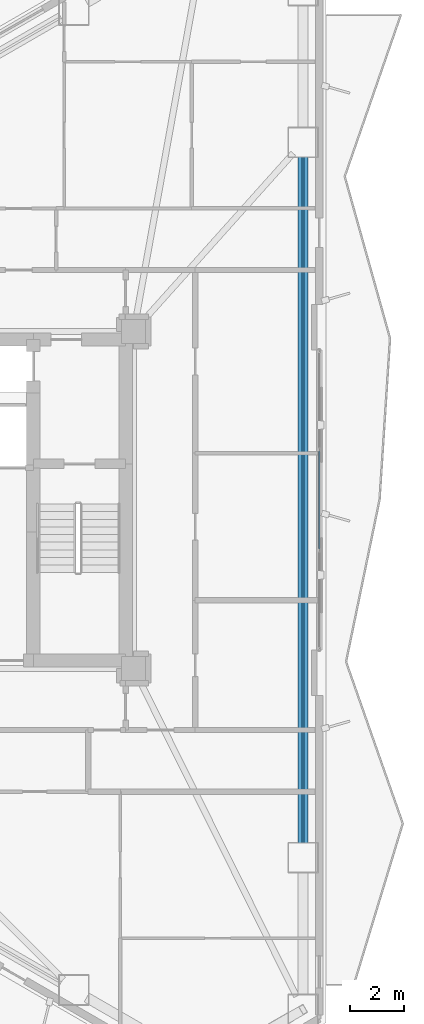
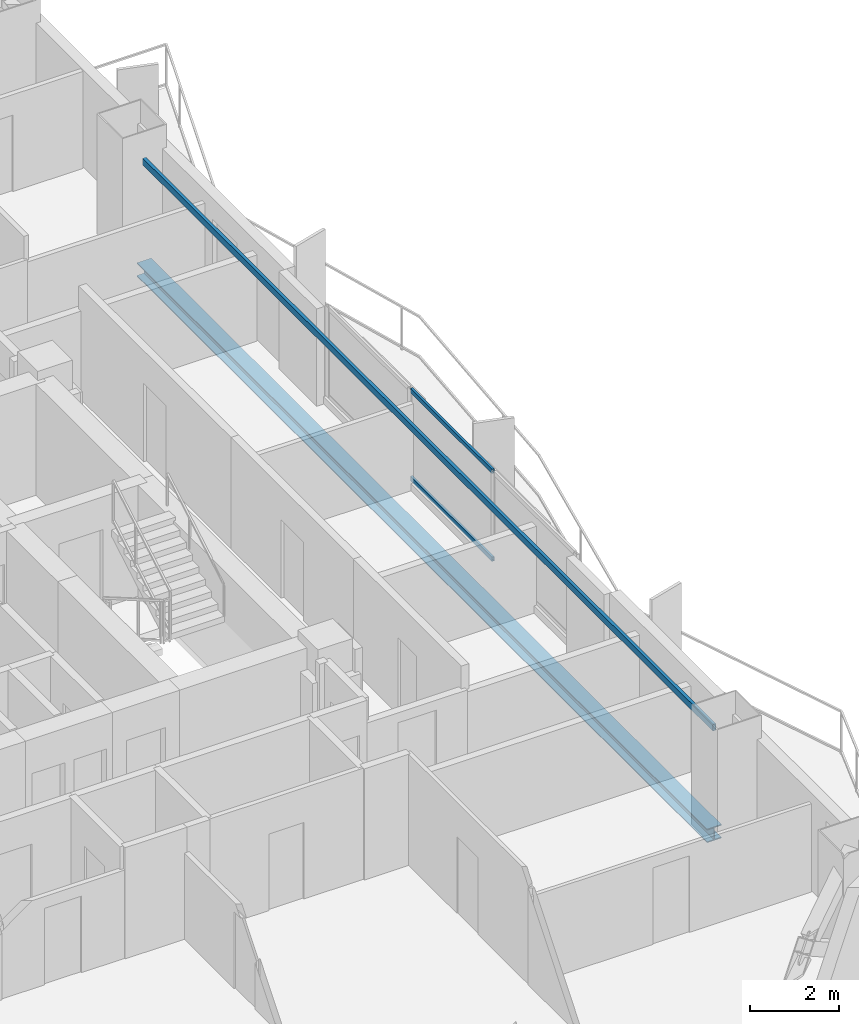
# One storey, part 9 of 22: 2 beams, 2 members, 1 element without a shape of its own.
"""IFC4 building model written with IfcOpenShell, lengths in metres."""

from ifc_helpers import new_model, si_unit, direction, frame, origin, origin_2d, place, context, subcontext, project, spatial, hollow_rectangle, i_section, extrude, material, layer, layer_set, material_profile, profile_set, type_object, element, aggregate, save


model = new_model("IFC4")

# Units and contexts
model_context = context("Model", 3, precision=1e-05, world=origin(), true_north=direction((0.0, 1.0)))
body_context = subcontext(model_context, "Body", "Model", "MODEL_VIEW")
ifc_project = project(units=[si_unit("LENGTHUNIT", "METRE"), si_unit("AREAUNIT", "SQUARE_METRE"), si_unit("VOLUMEUNIT", "CUBIC_METRE"), si_unit("PLANEANGLEUNIT", "RADIAN"), si_unit("MASSUNIT", "GRAM", prefix="KILO")], contexts=[model_context])

# Site, building, storey
site_placement = place(None, origin())
site = spatial("IfcSite", under=ifc_project, at=site_placement, CompositionType="ELEMENT")
building_placement = place(site_placement, origin())
building = spatial("IfcBuilding", under=site, at=building_placement, Name="Mersakhor Tower and Convention Hall", CompositionType="ELEMENT")
storey_placement = place(building_placement, frame((0.0, 0.0, 90.0)))
storey = spatial("IfcBuildingStorey", under=building, at=storey_placement, Name="L24", CompositionType="ELEMENT", Elevation=90.0)

# Beams
ifc_material_1 = material(Name="Steel S355", Category="steel")
ifc_material_profile_1 = material_profile(ifc_material_1, hollow_rectangle(XDim=0.080078125, YDim=0.179931640625, WallThickness=0.008056640625, at=origin_2d()), Name="RHS 180x80x8")
ifc_profile_set_1 = profile_set([ifc_material_profile_1], Name="Steel S355")
beam_type_1 = type_object("IfcBeamType", Name="BM-GRT-RHS180", PredefinedType="USERDEFINED", material=ifc_profile_set_1)
beam_1_placement = place(storey_placement, frame((42.4345703125, 39.566650390625, 2.47998046875), z_axis=(0.0, -1.0, 0.0), x_axis=(1.0, 0.0, 0.0)))
element("IfcBeam", 1, at=beam_1_placement, inside=storey, type_object=beam_type_1, Name="L24 Facade Support Girt GRT-F2", ObjectType="GIRT", PredefinedType="USERDEFINED", context=body_context, shape_type="SweptSolid", body=[
    extrude(hollow_rectangle(XDim=0.080078125, YDim=0.179931640625, WallThickness=0.008056640625, at=origin_2d()), origin(), (0.0, 0.0, 1.0), 25.63330078125),
])
ifc_material_2 = material(Name="Steel S355", Category="steel")
ifc_material_profile_2 = material_profile(ifc_material_2, i_section(OverallWidth=0.374755859375, OverallDepth=0.37451171875, WebThickness=0.0166015625, FlangeThickness=0.027099609375, at=origin_2d()), Name="UC 356x368x202")
ifc_profile_set_2 = profile_set([ifc_material_profile_2], Name="Steel S355")
beam_type_2 = type_object("IfcBeamType", Name="BM-SPD-UC356", PredefinedType="SPANDREL", material=ifc_profile_set_2)
beam_2_placement = place(storey_placement, frame((42.4345703125, 39.566650390625, -0.437255859375), z_axis=(0.0, -1.0, 0.0), x_axis=(1.0, 0.0, 0.0)))
element("IfcBeam", 2, at=beam_2_placement, inside=storey, type_object=beam_type_2, Name="L24 Perimeter Spandrel Beam SPB-06", PredefinedType="SPANDREL", context=body_context, shape_type="SweptSolid", body=[
    extrude(i_section(OverallWidth=0.374755859375, OverallDepth=0.37451171875, WebThickness=0.0166015625, FlangeThickness=0.027099609375, at=origin_2d()), origin(), (0.0, 0.0, 1.0), 25.63330078125),
])

# Curtain wall, members
ifc_material_3 = material(Name="Dark solar low-E aluminium curtain wall", Category="aluminium")
ifc_layer = layer(ifc_material_3, 0.159912109375)
ifc_layer_set = layer_set([ifc_layer], Name="Dark solar low-E aluminium curtain wall")
curtain_wall_type = type_object("IfcCurtainWallType", Name="CW-SYS-01", PredefinedType="USERDEFINED", material=ifc_layer_set)
curtain_wall_placement = place(storey_placement, origin())
curtain_wall = element("IfcCurtainWall", 3, at=curtain_wall_placement, inside=storey, type_object=curtain_wall_type, Name="L24 Dark-Glass Curtain Wall F2-B2", ObjectType="CURTAIN WALL", PredefinedType="USERDEFINED")
ifc_material_4 = material(Name="Anodised aluminium EN AW-6063 T6", Category="aluminium")
ifc_material_profile_3 = material_profile(ifc_material_4, hollow_rectangle(XDim=0.06005859375, YDim=0.1201171875, WallThickness=0.0048828125, at=origin_2d()), Name="RHS 120x60x5")
ifc_profile_set_3 = profile_set([ifc_material_profile_3], Name="Anodised aluminium EN AW-6063 T6")
member_type = type_object("IfcMemberType", Name="CWT-120x60", PredefinedType="USERDEFINED", material=ifc_profile_set_3)
member_1_placement = place(storey_placement, frame((43.03466796875, 28.583984375, 0.22998046875), z_axis=(0.0, -1.0, 0.0), x_axis=(1.0, 0.0, 0.0)))
member_1 = element("IfcMember", 4, at=member_1_placement, type_object=member_type, Name="CW-01 transom 2.1", ObjectType="TRANSOM", PredefinedType="USERDEFINED", context=body_context, shape_type="SweptSolid", body=[
    extrude(hollow_rectangle(XDim=0.06005859375, YDim=0.1201171875, WallThickness=0.0048828125, at=origin_2d()), origin(), (0.0, 0.0, 1.0), 3.66796875),
])
member_2_placement = place(storey_placement, frame((43.03466796875, 28.583984375, 2.639892578125), z_axis=(0.0, -1.0, 0.0), x_axis=(1.0, 0.0, 0.0)))
member_2 = element("IfcMember", 5, at=member_2_placement, type_object=member_type, Name="CW-01 transom 2.2", ObjectType="TRANSOM", PredefinedType="USERDEFINED", context=body_context, shape_type="SweptSolid", body=[
    extrude(hollow_rectangle(XDim=0.06005859375, YDim=0.1201171875, WallThickness=0.0048828125, at=origin_2d()), origin(), (0.0, 0.0, 1.0), 3.66796875),
])
aggregate(curtain_wall, [member_1, member_2])

save(model, "model.ifc")
